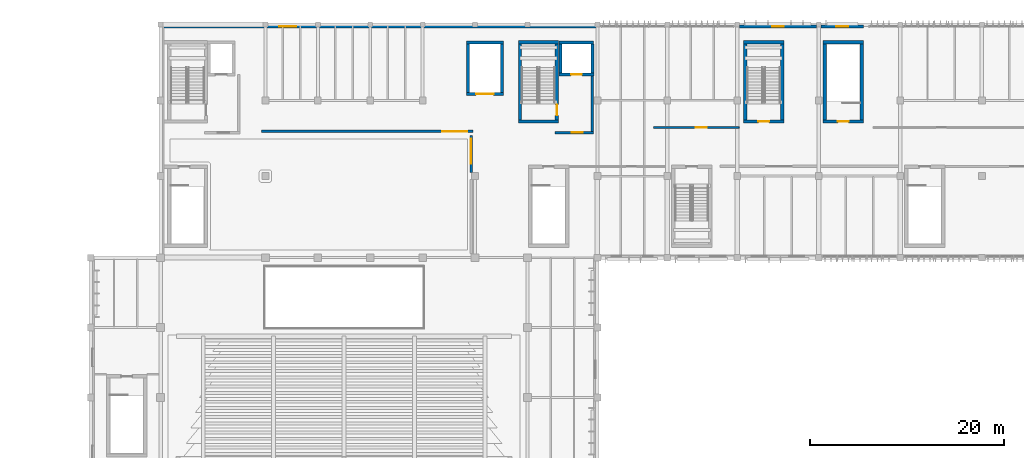
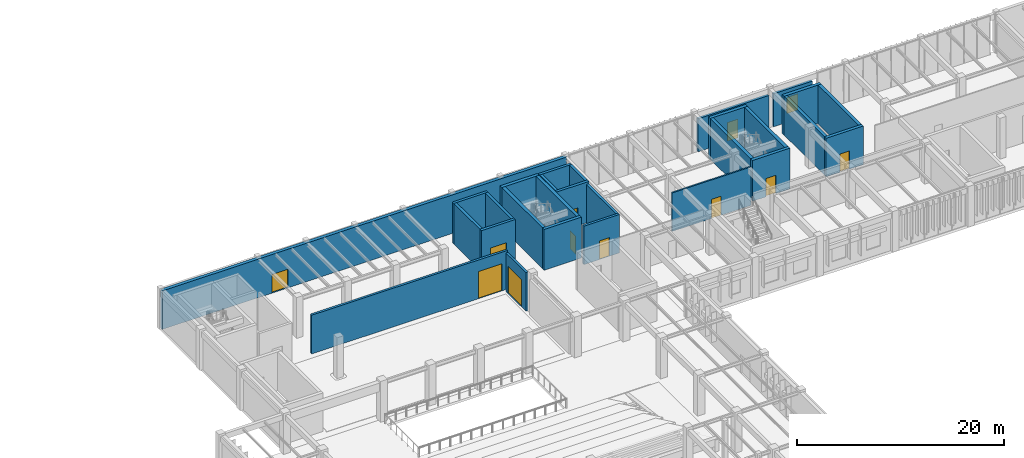
# One storey, part 39 of 122: 28 walls, 11 doors, 1 window, 12 openings.
"""IFC4 building model written with IfcOpenShell, lengths in metres."""

from ifc_helpers import new_model, si_unit, direction, frame, frame_2d, origin, place, context, subcontext, project, spatial, rectangle, extrude, material, layer, layer_set, type_object, element, fill, save


model = new_model("IFC4")

# Units and contexts
model_context = context("Model", 3, precision=1e-05, world=origin(), true_north=direction((0.0, 1.0)))
body_context = subcontext(model_context, "Body", "Model", "MODEL_VIEW")
ifc_project = project(units=[si_unit("LENGTHUNIT", "METRE"), si_unit("AREAUNIT", "SQUARE_METRE"), si_unit("VOLUMEUNIT", "CUBIC_METRE"), si_unit("PLANEANGLEUNIT", "RADIAN"), si_unit("MASSUNIT", "GRAM", prefix="KILO")], contexts=[model_context])

# Site, building, storey
site_placement = place(None, origin())
site = spatial("IfcSite", under=ifc_project, at=site_placement, CompositionType="ELEMENT")
building_placement = place(site_placement, origin())
building = spatial("IfcBuilding", under=site, at=building_placement, Name="Tazoul Stagehouse", CompositionType="ELEMENT")
storey_placement = place(building_placement, origin())
storey = spatial("IfcBuildingStorey", under=building, at=storey_placement, Name="L00", CompositionType="ELEMENT", Elevation=0.0)

# Wall, opening, door
ifc_material_1 = material(Name="Gypsum Acoustic Partition", Category="gypsum")
ifc_layer_1 = layer(ifc_material_1, 0.25, Name="Gypsum Acoustic Partition")
ifc_layer_set_1 = layer_set([ifc_layer_1], Name="Gypsum Acoustic Partition")
wall_type_1 = type_object("IfcWallType", Name="Acoustic Hall Double-Stud Partition 250", PredefinedType="PARTITIONING", material=ifc_layer_set_1)
wall_1_placement = place(storey_placement, frame((89.60009765625, 100.39990234375, 0.0), z_axis=(0.0, 0.0, 1.0), x_axis=(0.0, -1.0, 0.0)))
wall_1 = element("IfcWall", 1, at=wall_1_placement, inside=storey, type_object=wall_type_1, Name="L00 Partition PW-250 (PW-RM-L00-020-E-S1)", PredefinedType="PARTITIONING", context=body_context, shape_type="SweptSolid", body=[
    extrude(rectangle(XDim=3.829833984375, YDim=0.25, at=frame_2d((1.9150390625, 0.0))), origin(), (0.0, 0.0, 1.0), 4.5400390625),
])
opening_1_placement = place(wall_1_placement, frame((0.35009765625, 0.0, 0.0)))
opening_1 = element("IfcOpeningElement", 2, at=opening_1_placement, cuts=wall_1, Name="Opening ID-22", PredefinedType="OPENING", context=body_context, shape_type="SweptSolid", body=[
    extrude(rectangle(XDim=2.60009765625, YDim=3.199951171875, at=frame_2d((1.300048828125, 1.60009765625))), frame((0.0, 0.14501953125, 0.0), z_axis=(0.0, -1.0, 0.0), x_axis=(1.0, 0.0, 0.0)), (0.0, 0.0, 1.0), 0.2900390625),
])
ifc_material_2 = material(Name="Acoustic Cedar Timber", Category="wood")
door_type_1 = type_object("IfcDoorType", Name="Scenery Stage Acoustic Elephant Door 2600x3200", OperationType="DOUBLE_DOOR_SINGLE_SWING", PredefinedType="DOOR", material=ifc_material_2)
door_1_placement = place(opening_1_placement, origin())
door_1 = element("IfcDoor", 3, at=door_1_placement, inside=storey, type_object=door_type_1, Name="L00 Main Proscenium Stage and Wings Door", OperationType="DOUBLE_DOOR_SINGLE_SWING", OverallHeight=3.199951171875, OverallWidth=2.60009765625, PredefinedType="DOOR", context=body_context, shape_type="SweptSolid", body=[
    extrude(rectangle(XDim=2.60009765625, YDim=3.199951171875, at=frame_2d((1.300048828125, 1.60009765625))), frame((0.0, 0.02490234375, 0.0), z_axis=(0.0, -1.0, 0.0), x_axis=(1.0, 0.0, 0.0)), (0.0, 0.0, 1.0), 0.050048828125),
])
fill(opening_1, door_1)

wall_2_placement = place(storey_placement, frame((89.800048828125, 100.800048828125, 0.0), z_axis=(0.0, 0.0, 1.0), x_axis=(-1.0, 0.0, 0.0)))
wall_2 = element("IfcWall", 4, at=wall_2_placement, inside=storey, type_object=wall_type_1, Name="L00 Partition PW-250 (PW-RM-L00-105-S)", PredefinedType="PARTITIONING", context=body_context, shape_type="SweptSolid", body=[
    extrude(rectangle(XDim=21.800048828125, YDim=0.25, at=frame_2d((10.89990234375, 0.0))), origin(), (0.0, 0.0, 1.0), 4.56005859375),
])
opening_2_placement = place(wall_2_placement, frame((0.60009765625, 0.0, 0.0)))
opening_2 = element("IfcOpeningElement", 5, at=opening_2_placement, cuts=wall_2, Name="Opening ID-22", PredefinedType="OPENING", context=body_context, shape_type="SweptSolid", body=[
    extrude(rectangle(XDim=2.60009765625, YDim=3.199951171875, at=frame_2d((1.300048828125, 1.60009765625))), frame((0.0, 0.14501953125, 0.0), z_axis=(0.0, -1.0, 0.0), x_axis=(1.0, 0.0, 0.0)), (0.0, 0.0, 1.0), 0.2900390625),
])
door_2_placement = place(opening_2_placement, origin())
door_2 = element("IfcDoor", 6, at=door_2_placement, inside=storey, type_object=door_type_1, Name="L00 Rear Stage Wagon Assembly Hall Door", OperationType="DOUBLE_DOOR_SINGLE_SWING", OverallHeight=3.199951171875, OverallWidth=2.60009765625, PredefinedType="DOOR", context=body_context, shape_type="SweptSolid", body=[
    extrude(rectangle(XDim=2.60009765625, YDim=3.199951171875, at=frame_2d((1.300048828125, 1.60009765625))), frame((0.0, 0.02490234375, 0.0), z_axis=(0.0, -1.0, 0.0), x_axis=(1.0, 0.0, 0.0)), (0.0, 0.0, 1.0), 0.050048828125),
])
fill(opening_2, door_2)

ifc_material_3 = material(Name="Ochre Fired Clay Facing Brick Masonry", Category="masonry")
ifc_layer_2 = layer(ifc_material_3, 0.360107421875, Name="Ochre Fired Clay Facing Brick Masonry")
ifc_layer_set_2 = layer_set([ifc_layer_2], Name="Ochre Fired Clay Facing Brick Masonry")
wall_type_2 = type_object("IfcWallType", Name="Acoustic Stagehouse Masonry-Concrete Cavity Wall 360", PredefinedType="SOLIDWALL", material=ifc_layer_set_2)
wall_3_placement = place(storey_placement, frame((57.60009765625, 111.6201171875, 0.0), z_axis=(0.0, 0.0, 1.0), x_axis=(1.0, 0.0, 0.0)))
wall_3 = element("IfcWall", 7, at=wall_3_placement, inside=storey, type_object=wall_type_2, Name="L00 Wall EW-360 (WALL-V2-N-L00-S1)", PredefinedType="SOLIDWALL", context=body_context, shape_type="SweptSolid", body=[
    extrude(rectangle(XDim=45.0, YDim=0.360107421875, at=frame_2d((22.5, 0.0))), origin(), (0.0, 0.0, 1.0), 4.5400390625),
])
opening_3_placement = place(wall_3_placement, frame((12.199951171875, 0.0, 0.0)))
opening_3 = element("IfcOpeningElement", 8, at=opening_3_placement, cuts=wall_3, Name="Opening ED-03", PredefinedType="OPENING", context=body_context, shape_type="SweptSolid", body=[
    extrude(rectangle(XDim=1.800048828125, YDim=2.199951171875, at=frame_2d((0.89990234375, 1.10009765625))), frame((0.0, 0.199951171875, 0.0), z_axis=(0.0, -1.0, 0.0), x_axis=(1.0, 0.0, 0.0)), (0.0, 0.0, 1.0), 0.400146484375),
])
ifc_material_4 = material(Name="Powder-Coated Galvanised Steel Leaf", Category="steel")
door_type_2 = type_object("IfcDoorType", Name="Perimeter Emergency Exit Double Door 1800x2200", OperationType="DOUBLE_DOOR_SINGLE_SWING", PredefinedType="DOOR", material=ifc_material_4)
door_3_placement = place(opening_3_placement, origin())
door_3 = element("IfcDoor", 9, at=door_3_placement, inside=storey, type_object=door_type_2, Name="L00 Door ED-03 (DR-V2-N-EXIT)", OperationType="SINGLE_SWING_LEFT", OverallHeight=2.199951171875, OverallWidth=1.800048828125, PredefinedType="DOOR", context=body_context, shape_type="SweptSolid", body=[
    extrude(rectangle(XDim=1.800048828125, YDim=2.199951171875, at=frame_2d((0.89990234375, 1.10009765625))), frame((0.0, 0.02490234375, 0.0), z_axis=(0.0, -1.0, 0.0), x_axis=(1.0, 0.0, 0.0)), (0.0, 0.0, 1.0), 0.050048828125),
])
fill(opening_3, door_3)

# Walls
ifc_material_5 = material(Name="Concrete C40/50", Category="concrete")
ifc_layer_3 = layer(ifc_material_5, 0.35009765625, Name="Concrete C40/50")
ifc_layer_set_3 = layer_set([ifc_layer_3], Name="Concrete C40/50")
wall_type_3 = type_object("IfcWallType", Name="Core Shear Wall 350", PredefinedType="SOLIDWALL", material=ifc_layer_set_3)
wall_4_placement = place(storey_placement, frame((98.60009765625, 101.824951171875, 0.0), z_axis=(0.0, 0.0, 1.0), x_axis=(-1.0, 0.0, 0.0)))
element("IfcWall", 10, at=wall_4_placement, inside=storey, type_object=wall_type_3, Name="L00 Core Wall CW-350 (SHF-ST-01-south)", PredefinedType="SOLIDWALL", context=body_context, shape_type="SweptSolid", body=[
    extrude(rectangle(XDim=4.150146484375, YDim=0.35009765625, at=frame_2d((2.0751953125, 0.0))), origin(), (0.0, 0.0, 1.0), 4.800048828125),
])
wall_5_placement = place(storey_placement, frame((94.625, 102.0, 0.0), z_axis=(0.0, 0.0, 1.0), x_axis=(0.0, 1.0, 0.0)))
element("IfcWall", 11, at=wall_5_placement, inside=storey, type_object=wall_type_3, Name="L00 Core Wall CW-350 (SHF-ST-01-west)", PredefinedType="SOLIDWALL", context=body_context, shape_type="SweptSolid", body=[
    extrude(rectangle(XDim=7.800048828125, YDim=0.35009765625, at=frame_2d((3.89990234375, 0.0))), origin(), (0.0, 0.0, 1.0), 4.800048828125),
])
wall_6_placement = place(storey_placement, frame((94.449951171875, 109.97509765625, 0.0), z_axis=(0.0, 0.0, 1.0), x_axis=(1.0, 0.0, 0.0)))
element("IfcWall", 12, at=wall_6_placement, inside=storey, type_object=wall_type_3, Name="L00 Core Wall CW-350 (SHF-ST-01-north)", PredefinedType="SOLIDWALL", context=body_context, shape_type="SweptSolid", body=[
    extrude(rectangle(XDim=4.150146484375, YDim=0.35009765625, at=frame_2d((2.0751953125, 0.0))), origin(), (0.0, 0.0, 1.0), 4.800048828125),
])

# Wall, opening, door
wall_7_placement = place(storey_placement, frame((98.425048828125, 109.800048828125, 0.0), z_axis=(0.0, 0.0, 1.0), x_axis=(0.0, -1.0, 0.0)))
wall_7 = element("IfcWall", 13, at=wall_7_placement, inside=storey, type_object=wall_type_3, Name="L00 Core Wall CW-350 (SHF-ST-01-east)", PredefinedType="SOLIDWALL", context=body_context, shape_type="SweptSolid", body=[
    extrude(rectangle(XDim=7.800048828125, YDim=0.35009765625, at=frame_2d((3.89990234375, 0.0))), origin(), (0.0, 0.0, 1.0), 4.800048828125),
])
opening_4_placement = place(wall_7_placement, frame((6.25, 0.0, 0.0)))
opening_4 = element("IfcOpeningElement", 14, at=opening_4_placement, cuts=wall_7, Name="Opening FD-01", PredefinedType="OPENING", context=body_context, shape_type="SweptSolid", body=[
    extrude(rectangle(XDim=1.10009765625, YDim=2.14990234375, at=frame_2d((0.550048828125, 1.074951171875))), frame((0.0, 0.195068359375, 0.0), z_axis=(0.0, -1.0, 0.0), x_axis=(1.0, 0.0, 0.0)), (0.0, 0.0, 1.0), 0.39013671875),
])
ifc_material_6 = material(Name="Powder-Coated Galvanised Acoustic Steel", Category="steel")
door_type_3 = type_object("IfcDoorType", Name="Core Escape Stair Fire Door 1100x2150", OperationType="NOTDEFINED", PredefinedType="DOOR", material=ifc_material_6)
door_4_placement = place(opening_4_placement, origin())
door_4 = element("IfcDoor", 15, at=door_4_placement, inside=storey, type_object=door_type_3, Name="L00 Escape Stair Fire Door FD-01 (ST-01)", OperationType="SINGLE_SWING_RIGHT", OverallHeight=2.14990234375, OverallWidth=1.10009765625, PredefinedType="DOOR", context=body_context, shape_type="SweptSolid", body=[
    extrude(rectangle(XDim=1.10009765625, YDim=2.14990234375, at=frame_2d((0.550048828125, 1.074951171875))), frame((0.0, 0.02490234375, 0.0), z_axis=(0.0, -1.0, 0.0), x_axis=(1.0, 0.0, 0.0)), (0.0, 0.0, 1.0), 0.050048828125),
])
fill(opening_4, door_4)

wall_8_placement = place(storey_placement, frame((121.800048828125, 101.824951171875, 0.0), z_axis=(0.0, 0.0, 1.0), x_axis=(-1.0, 0.0, 0.0)))
wall_8 = element("IfcWall", 16, at=wall_8_placement, inside=storey, type_object=wall_type_3, Name="L00 Core Wall CW-350 (SHF-ST-02-south)", PredefinedType="SOLIDWALL", context=body_context, shape_type="SweptSolid", body=[
    extrude(rectangle(XDim=4.150146484375, YDim=0.35009765625, at=frame_2d((2.0751953125, 0.0))), origin(), (0.0, 0.0, 1.0), 4.800048828125),
])
opening_5_placement = place(wall_8_placement, frame((1.52490234375, 0.0, 0.0)))
opening_5 = element("IfcOpeningElement", 17, at=opening_5_placement, cuts=wall_8, Name="Opening FD-01", PredefinedType="OPENING", context=body_context, shape_type="SweptSolid", body=[
    extrude(rectangle(XDim=1.10009765625, YDim=2.14990234375, at=frame_2d((0.550048828125, 1.074951171875))), frame((0.0, 0.195068359375, 0.0), z_axis=(0.0, -1.0, 0.0), x_axis=(1.0, 0.0, 0.0)), (0.0, 0.0, 1.0), 0.39013671875),
])
door_5_placement = place(opening_5_placement, origin())
door_5 = element("IfcDoor", 18, at=door_5_placement, inside=storey, type_object=door_type_3, Name="L00 Escape Stair Fire Door FD-01 (ST-02)", OperationType="SINGLE_SWING_LEFT", OverallHeight=2.14990234375, OverallWidth=1.10009765625, PredefinedType="DOOR", context=body_context, shape_type="SweptSolid", body=[
    extrude(rectangle(XDim=1.10009765625, YDim=2.14990234375, at=frame_2d((0.550048828125, 1.074951171875))), frame((0.0, 0.02490234375, 0.0), z_axis=(0.0, -1.0, 0.0), x_axis=(1.0, 0.0, 0.0)), (0.0, 0.0, 1.0), 0.050048828125),
])
fill(opening_5, door_5)

# Walls
wall_9_placement = place(storey_placement, frame((117.824951171875, 102.0, 0.0), z_axis=(0.0, 0.0, 1.0), x_axis=(0.0, 1.0, 0.0)))
element("IfcWall", 19, at=wall_9_placement, inside=storey, type_object=wall_type_3, Name="L00 Core Wall CW-350 (SHF-ST-02-west)", PredefinedType="SOLIDWALL", context=body_context, shape_type="SweptSolid", body=[
    extrude(rectangle(XDim=7.800048828125, YDim=0.35009765625, at=frame_2d((3.89990234375, 0.0))), origin(), (0.0, 0.0, 1.0), 4.800048828125),
])
wall_10_placement = place(storey_placement, frame((117.64990234375, 109.97509765625, 0.0), z_axis=(0.0, 0.0, 1.0), x_axis=(1.0, 0.0, 0.0)))
element("IfcWall", 20, at=wall_10_placement, inside=storey, type_object=wall_type_3, Name="L00 Core Wall CW-350 (SHF-ST-02-north)", PredefinedType="SOLIDWALL", context=body_context, shape_type="SweptSolid", body=[
    extrude(rectangle(XDim=4.150146484375, YDim=0.35009765625, at=frame_2d((2.0751953125, 0.0))), origin(), (0.0, 0.0, 1.0), 4.800048828125),
])
wall_11_placement = place(storey_placement, frame((121.625, 109.800048828125, 0.0), z_axis=(0.0, 0.0, 1.0), x_axis=(0.0, -1.0, 0.0)))
element("IfcWall", 21, at=wall_11_placement, inside=storey, type_object=wall_type_3, Name="L00 Core Wall CW-350 (SHF-ST-02-east)", PredefinedType="SOLIDWALL", context=body_context, shape_type="SweptSolid", body=[
    extrude(rectangle(XDim=7.800048828125, YDim=0.35009765625, at=frame_2d((3.89990234375, 0.0))), origin(), (0.0, 0.0, 1.0), 4.800048828125),
])

# Wall, opening, door
wall_12_placement = place(storey_placement, frame((130.0, 101.824951171875, 0.0), z_axis=(0.0, 0.0, 1.0), x_axis=(-1.0, 0.0, 0.0)))
wall_12 = element("IfcWall", 22, at=wall_12_placement, inside=storey, type_object=wall_type_3, Name="L00 Core Wall CW-350 (SHF-ST-B2-south)", PredefinedType="SOLIDWALL", context=body_context, shape_type="SweptSolid", body=[
    extrude(rectangle(XDim=4.14990234375, YDim=0.35009765625, at=frame_2d((2.074951171875, 0.0))), origin(), (0.0, 0.0, 1.0), 4.5400390625),
])
opening_6_placement = place(wall_12_placement, frame((1.52490234375, 0.0, 0.0)))
opening_6 = element("IfcOpeningElement", 23, at=opening_6_placement, cuts=wall_12, Name="Opening FD-01", PredefinedType="OPENING", context=body_context, shape_type="SweptSolid", body=[
    extrude(rectangle(XDim=1.10009765625, YDim=2.14990234375, at=frame_2d((0.550048828125, 1.074951171875))), frame((0.0, 0.195068359375, 0.0), z_axis=(0.0, -1.0, 0.0), x_axis=(1.0, 0.0, 0.0)), (0.0, 0.0, 1.0), 0.39013671875),
])
door_6_placement = place(opening_6_placement, origin())
door_6 = element("IfcDoor", 24, at=door_6_placement, inside=storey, type_object=door_type_3, Name="L00 Basement Stair Fire Door FD-01 (ST-B2)", OperationType="SINGLE_SWING_RIGHT", OverallHeight=2.14990234375, OverallWidth=1.10009765625, PredefinedType="DOOR", context=body_context, shape_type="SweptSolid", body=[
    extrude(rectangle(XDim=1.10009765625, YDim=2.14990234375, at=frame_2d((0.550048828125, 1.074951171875))), frame((0.0, 0.02490234375, 0.0), z_axis=(0.0, -1.0, 0.0), x_axis=(1.0, 0.0, 0.0)), (0.0, 0.0, 1.0), 0.050048828125),
])
fill(opening_6, door_6)

# Walls
wall_13_placement = place(storey_placement, frame((126.02490234375, 102.0, 0.0), z_axis=(0.0, 0.0, 1.0), x_axis=(0.0, 1.0, 0.0)))
element("IfcWall", 25, at=wall_13_placement, inside=storey, type_object=wall_type_3, Name="L00 Core Wall CW-350 (SHF-ST-B2-west)", PredefinedType="SOLIDWALL", context=body_context, shape_type="SweptSolid", body=[
    extrude(rectangle(XDim=7.800048828125, YDim=0.35009765625, at=frame_2d((3.89990234375, 0.0))), origin(), (0.0, 0.0, 1.0), 4.5400390625),
])
wall_14_placement = place(storey_placement, frame((125.85009765625, 109.97509765625, 0.0), z_axis=(0.0, 0.0, 1.0), x_axis=(1.0, 0.0, 0.0)))
element("IfcWall", 26, at=wall_14_placement, inside=storey, type_object=wall_type_3, Name="L00 Core Wall CW-350 (SHF-ST-B2-north)", PredefinedType="SOLIDWALL", context=body_context, shape_type="SweptSolid", body=[
    extrude(rectangle(XDim=4.14990234375, YDim=0.35009765625, at=frame_2d((2.074951171875, 0.0))), origin(), (0.0, 0.0, 1.0), 4.5400390625),
])
wall_15_placement = place(storey_placement, frame((129.824951171875, 109.800048828125, 0.0), z_axis=(0.0, 0.0, 1.0), x_axis=(0.0, -1.0, 0.0)))
element("IfcWall", 27, at=wall_15_placement, inside=storey, type_object=wall_type_3, Name="L00 Core Wall CW-350 (SHF-ST-B2-east)", PredefinedType="SOLIDWALL", context=body_context, shape_type="SweptSolid", body=[
    extrude(rectangle(XDim=7.800048828125, YDim=0.35009765625, at=frame_2d((3.89990234375, 0.0))), origin(), (0.0, 0.0, 1.0), 4.5400390625),
])

# Wall, opening, door
ifc_layer_4 = layer(ifc_material_1, 0.169921875, Name="Gypsum Acoustic Partition")
ifc_layer_set_4 = layer_set([ifc_layer_4], Name="Gypsum Acoustic Partition")
wall_type_4 = type_object("IfcWallType", Name="Corridor Fire-Rated Partition 170", PredefinedType="PARTITIONING", material=ifc_layer_set_4)
wall_16_placement = place(storey_placement, frame((117.199951171875, 101.199951171875, 0.0), z_axis=(0.0, 0.0, 1.0), x_axis=(-1.0, 0.0, 0.0)))
wall_16 = element("IfcWall", 28, at=wall_16_placement, inside=storey, type_object=wall_type_4, Name="L00 Partition PW-170 (PW-RM-L00-023-S)", PredefinedType="PARTITIONING", context=body_context, shape_type="SweptSolid", body=[
    extrude(rectangle(XDim=8.800048828125, YDim=0.169921875, at=frame_2d((4.39990234375, 0.0))), origin(), (0.0, 0.0, 1.0), 4.5400390625),
])
opening_7_placement = place(wall_16_placement, frame((3.35009765625, 0.0, 0.0)))
opening_7 = element("IfcOpeningElement", 29, at=opening_7_placement, cuts=wall_16, Name="Opening ID-11", PredefinedType="OPENING", context=body_context, shape_type="SweptSolid", body=[
    extrude(rectangle(XDim=1.10009765625, YDim=2.25, at=frame_2d((0.550048828125, 1.125))), frame((0.0, 0.10498046875, 0.0), z_axis=(0.0, -1.0, 0.0), x_axis=(1.0, 0.0, 0.0)), (0.0, 0.0, 1.0), 0.2099609375),
])
door_type_4 = type_object("IfcDoorType", Name="Fire Command Room Rated Door 1100x2250", OperationType="NOTDEFINED", PredefinedType="DOOR", material=ifc_material_2)
door_7_placement = place(opening_7_placement, origin())
door_7 = element("IfcDoor", 30, at=door_7_placement, inside=storey, type_object=door_type_4, Name="L00 Fire Command and Security Control Room Door", OperationType="SINGLE_SWING_LEFT", OverallHeight=2.25, OverallWidth=1.10009765625, PredefinedType="DOOR", context=body_context, shape_type="SweptSolid", body=[
    extrude(rectangle(XDim=1.10009765625, YDim=2.25, at=frame_2d((0.550048828125, 1.125))), frame((0.0, 0.02490234375, 0.0), z_axis=(0.0, -1.0, 0.0), x_axis=(1.0, 0.0, 0.0)), (0.0, 0.0, 1.0), 0.050048828125),
])
fill(opening_7, door_7)

ifc_layer_5 = layer(ifc_material_5, 0.260009765625, Name="Concrete C40/50")
ifc_layer_set_5 = layer_set([ifc_layer_5], Name="Concrete C40/50")
wall_type_5 = type_object("IfcWallType", Name="Firefighting Lobby Wall 260", PredefinedType="SOLIDWALL", material=ifc_layer_set_5)
wall_17_placement = place(storey_placement, frame((102.2099609375, 100.669921875, 0.0), z_axis=(0.0, 0.0, 1.0), x_axis=(-1.0, 0.0, 0.0)))
wall_17 = element("IfcWall", 31, at=wall_17_placement, inside=storey, type_object=wall_type_5, Name="L00 Firefighting Lobby Wall CW-260 (C1-S)", PredefinedType="SOLIDWALL", context=body_context, shape_type="SweptSolid", body=[
    extrude(rectangle(XDim=3.9599609375, YDim=0.260009765625, at=frame_2d((1.97998046875, 0.0))), origin(), (0.0, 0.0, 1.0), 4.5400390625),
])
opening_8_placement = place(wall_17_placement, frame((1.10009765625, 0.0, 0.0)))
opening_8 = element("IfcOpeningElement", 32, at=opening_8_placement, cuts=wall_17, Name="Opening FD-02", PredefinedType="OPENING", context=body_context, shape_type="SweptSolid", body=[
    extrude(rectangle(XDim=1.14990234375, YDim=2.199951171875, at=frame_2d((0.574951171875, 1.10009765625))), frame((0.0, 0.14990234375, 0.0), z_axis=(0.0, -1.0, 0.0), x_axis=(1.0, 0.0, 0.0)), (0.0, 0.0, 1.0), 0.300048828125),
])
door_type_5 = type_object("IfcDoorType", Name="Firefighting Lobby Fire Door 1150x2200", OperationType="NOTDEFINED", PredefinedType="DOOR", material=ifc_material_6)
door_8_placement = place(opening_8_placement, origin())
door_8 = element("IfcDoor", 33, at=door_8_placement, inside=storey, type_object=door_type_5, Name="L00 Firefighting Lobby Door FD-02 (C1)", OperationType="SINGLE_SWING_LEFT", OverallHeight=2.199951171875, OverallWidth=1.14990234375, PredefinedType="DOOR", context=body_context, shape_type="SweptSolid", body=[
    extrude(rectangle(XDim=1.14990234375, YDim=2.199951171875, at=frame_2d((0.574951171875, 1.10009765625))), frame((0.0, 0.02490234375, 0.0), z_axis=(0.0, -1.0, 0.0), x_axis=(1.0, 0.0, 0.0)), (0.0, 0.0, 1.0), 0.050048828125),
])
fill(opening_8, door_8)

# Wall
wall_18_placement = place(storey_placement, frame((102.080078125, 106.64990234375, 0.0), z_axis=(0.0, 0.0, 1.0), x_axis=(0.0, -1.0, 0.0)))
element("IfcWall", 34, at=wall_18_placement, inside=storey, type_object=wall_type_5, Name="L00 Firefighting Lobby Wall CW-260 (C1-E)", PredefinedType="SOLIDWALL", context=body_context, shape_type="SweptSolid", body=[
    extrude(rectangle(XDim=5.849853515625, YDim=0.260009765625, at=frame_2d((2.9248046875, 0.0))), origin(), (0.0, 0.0, 1.0), 4.5400390625),
])

# Wall, opening, door
ifc_material_7 = material(Name="Precast concrete C40/50", Category="concrete")
ifc_layer_6 = layer(ifc_material_7, 0.280029296875, Name="Precast concrete C40/50")
ifc_layer_set_6 = layer_set([ifc_layer_6], Name="Precast concrete C40/50")
wall_type_6 = type_object("IfcWallType", Name="Insulated Precast Acoustic Cladding Wall 280", PredefinedType="SOLIDWALL", material=ifc_layer_set_6)
wall_19_placement = place(storey_placement, frame((117.2548828125, 111.6201171875, 0.0), z_axis=(0.0, 0.0, 1.0), x_axis=(1.0, 0.0, 0.0)))
wall_19 = element("IfcWall", 35, at=wall_19_placement, inside=storey, type_object=wall_type_6, Name="L00 Wall EW-280 (WALL-V3-N2-L00-S1)", PredefinedType="SOLIDWALL", context=body_context, shape_type="SweptSolid", body=[
    extrude(rectangle(XDim=7.89013671875, YDim=0.280029296875, at=frame_2d((3.945068359375, 0.0))), origin(), (0.0, 0.0, 1.0), 3.873046875),
])
opening_9_placement = place(wall_19_placement, frame((3.344970703125, 0.0, 0.0)))
opening_9 = element("IfcOpeningElement", 36, at=opening_9_placement, cuts=wall_19, Name="Opening ED-04", PredefinedType="OPENING", context=body_context, shape_type="SweptSolid", body=[
    extrude(rectangle(XDim=1.199951171875, YDim=2.199951171875, at=frame_2d((0.60009765625, 1.10009765625))), frame((0.0, 0.159912109375, 0.0), z_axis=(0.0, -1.0, 0.0), x_axis=(1.0, 0.0, 0.0)), (0.0, 0.0, 1.0), 0.320068359375),
])
door_type_6 = type_object("IfcDoorType", Name="Stage Door Staff Entrance 1200x2200", OperationType="SINGLE_SWING_RIGHT", PredefinedType="DOOR", material=ifc_material_4)
door_9_placement = place(opening_9_placement, origin())
door_9 = element("IfcDoor", 37, at=door_9_placement, inside=storey, type_object=door_type_6, Name="L00 Door ED-04 (DR-V3-STAGE-DOOR)", OperationType="SINGLE_SWING_LEFT", OverallHeight=2.199951171875, OverallWidth=1.199951171875, PredefinedType="DOOR", context=body_context, shape_type="SweptSolid", body=[
    extrude(rectangle(XDim=1.199951171875, YDim=2.199951171875, at=frame_2d((0.60009765625, 1.10009765625))), frame((0.0, 0.02490234375, 0.0), z_axis=(0.0, -1.0, 0.0), x_axis=(1.0, 0.0, 0.0)), (0.0, 0.0, 1.0), 0.050048828125),
])
fill(opening_9, door_9)

# Wall, opening, window
wall_20_placement = place(storey_placement, frame((125.655029296875, 111.6201171875, 0.0), z_axis=(0.0, 0.0, 1.0), x_axis=(1.0, 0.0, 0.0)))
wall_20 = element("IfcWall", 38, at=wall_20_placement, inside=storey, type_object=wall_type_6, Name="L00 Wall EW-280 (WALL-V3-N2-L00-S2)", PredefinedType="SOLIDWALL", context=body_context, shape_type="SweptSolid", body=[
    extrude(rectangle(XDim=4.344970703125, YDim=0.280029296875, at=frame_2d((2.17236328125, 0.0))), origin(), (0.0, 0.0, 1.0), 3.873046875),
])
opening_10_placement = place(wall_20_placement, frame((1.5576171875, 0.0, 0.949951171875)))
opening_10 = element("IfcOpeningElement", 39, at=opening_10_placement, cuts=wall_20, Name="Opening WN-69", PredefinedType="OPENING", context=body_context, shape_type="SweptSolid", body=[
    extrude(rectangle(XDim=1.22998046875, YDim=1.89990234375, at=frame_2d((0.614990234375, 0.949951171875))), frame((0.0, 0.159912109375, 0.0), z_axis=(0.0, -1.0, 0.0), x_axis=(1.0, 0.0, 0.0)), (0.0, 0.0, 1.0), 0.320068359375),
])
ifc_material_8 = material(Name="Double Low-E Acoustic Laminated Glass", Category="glass")
window_type = type_object("IfcWindowType", Name="Architectural Acoustic Facade Window 1230x1900", PartitioningType="SINGLE_PANEL", PredefinedType="WINDOW", material=ifc_material_8)
window_placement = place(opening_10_placement, origin())
window = element("IfcWindow", 40, at=window_placement, inside=storey, type_object=window_type, Name="L00 Window WN-69 (WALL-V3-N2-L00-S2-W1)", OverallHeight=1.89990234375, OverallWidth=1.22998046875, PartitioningType="SINGLE_PANEL", PredefinedType="WINDOW", context=body_context, shape_type="SweptSolid", body=[
    extrude(rectangle(XDim=1.22998046875, YDim=1.89990234375, at=frame_2d((0.614990234375, 0.949951171875))), frame((0.0, 0.030029296875, 0.0), z_axis=(0.0, -1.0, 0.0), x_axis=(1.0, 0.0, 0.0)), (0.0, 0.0, 1.0), 0.06005859375),
])
fill(opening_10, window)

# Wall, opening, door
ifc_layer_7 = layer(ifc_material_5, 0.300048828125, Name="Concrete C40/50")
ifc_layer_set_7 = layer_set([ifc_layer_7], Name="Concrete C40/50")
wall_type_7 = type_object("IfcWallType", Name="Lift Shaft Wall 300", PredefinedType="SOLIDWALL", material=ifc_layer_set_7)
wall_21_placement = place(storey_placement, frame((102.25, 106.64990234375, 0.0), z_axis=(0.0, 0.0, 1.0), x_axis=(-1.0, 0.0, 0.0)))
wall_21 = element("IfcWall", 41, at=wall_21_placement, inside=storey, type_object=wall_type_7, Name="L00 Core Wall CW-300 (LSHF-FFL-01-south)", PredefinedType="SOLIDWALL", context=body_context, shape_type="SweptSolid", body=[
    extrude(rectangle(XDim=3.60009765625, YDim=0.300048828125, at=frame_2d((1.800048828125, 0.0))), origin(), (0.0, 0.0, 1.0), 4.800048828125),
])
opening_11_placement = place(wall_21_placement, frame((1.25, 0.0, 0.0)))
opening_11 = element("IfcOpeningElement", 42, at=opening_11_placement, cuts=wall_21, Name="Opening LD-01", PredefinedType="OPENING", context=body_context, shape_type="SweptSolid", body=[
    extrude(rectangle(XDim=1.10009765625, YDim=2.10009765625, at=frame_2d((0.550048828125, 1.050048828125))), frame((0.0, 0.169921875, 0.0), z_axis=(0.0, -1.0, 0.0), x_axis=(1.0, 0.0, 0.0)), (0.0, 0.0, 1.0), 0.340087890625),
])
door_type_7 = type_object("IfcDoorType", Name="Firefighter Lift Sliding Landing Door 1100x2100", OperationType="DOUBLE_DOOR_SLIDING", PredefinedType="DOOR", material=ifc_material_6)
door_10_placement = place(opening_11_placement, origin())
door_10 = element("IfcDoor", 43, at=door_10_placement, inside=storey, type_object=door_type_7, Name="L00 Lift Landing Sliding Door LD-01 (FFL-01)", OperationType="DOUBLE_DOOR_SLIDING", OverallHeight=2.10009765625, OverallWidth=1.10009765625, PredefinedType="DOOR", context=body_context, shape_type="SweptSolid", body=[
    extrude(rectangle(XDim=1.10009765625, YDim=2.10009765625, at=frame_2d((0.550048828125, 1.050048828125))), frame((0.0, 0.02490234375, 0.0), z_axis=(0.0, -1.0, 0.0), x_axis=(1.0, 0.0, 0.0)), (0.0, 0.0, 1.0), 0.050048828125),
])
fill(opening_11, door_10)

# Walls
wall_22_placement = place(storey_placement, frame((98.800048828125, 106.800048828125, 0.0), z_axis=(0.0, 0.0, 1.0), x_axis=(0.0, 1.0, 0.0)))
element("IfcWall", 44, at=wall_22_placement, inside=storey, type_object=wall_type_7, Name="L00 Core Wall CW-300 (LSHF-FFL-01-west)", PredefinedType="SOLIDWALL", context=body_context, shape_type="SweptSolid", body=[
    extrude(rectangle(XDim=3.0, YDim=0.300048828125, at=frame_2d((1.5, 0.0))), origin(), (0.0, 0.0, 1.0), 4.800048828125),
])
wall_23_placement = place(storey_placement, frame((98.64990234375, 109.949951171875, 0.0), z_axis=(0.0, 0.0, 1.0), x_axis=(1.0, 0.0, 0.0)))
element("IfcWall", 45, at=wall_23_placement, inside=storey, type_object=wall_type_7, Name="L00 Core Wall CW-300 (LSHF-FFL-01-north)", PredefinedType="SOLIDWALL", context=body_context, shape_type="SweptSolid", body=[
    extrude(rectangle(XDim=3.570068359375, YDim=0.300048828125, at=frame_2d((1.78515625, 0.0))), origin(), (0.0, 0.0, 1.0), 4.800048828125),
])
wall_24_placement = place(storey_placement, frame((102.10009765625, 109.800048828125, 0.0), z_axis=(0.0, 0.0, 1.0), x_axis=(0.0, -1.0, 0.0)))
element("IfcWall", 46, at=wall_24_placement, inside=storey, type_object=wall_type_7, Name="L00 Core Wall CW-300 (LSHF-FFL-01-east)", PredefinedType="SOLIDWALL", context=body_context, shape_type="SweptSolid", body=[
    extrude(rectangle(XDim=3.0, YDim=0.300048828125, at=frame_2d((1.5, 0.0))), origin(), (0.0, 0.0, 1.0), 4.800048828125),
])

# Wall, opening, door
wall_25_placement = place(storey_placement, frame((92.89990234375, 104.64990234375, 0.0), z_axis=(0.0, 0.0, 1.0), x_axis=(-1.0, 0.0, 0.0)))
wall_25 = element("IfcWall", 47, at=wall_25_placement, inside=storey, type_object=wall_type_7, Name="L00 Core Wall CW-300 (LSHF-GL-01-south)", PredefinedType="SOLIDWALL", context=body_context, shape_type="SweptSolid", body=[
    extrude(rectangle(XDim=3.7998046875, YDim=0.300048828125, at=frame_2d((1.89990234375, 0.0))), origin(), (0.0, 0.0, 1.0), 4.800048828125),
])
opening_12_placement = place(wall_25_placement, frame((1.0, 0.0, 0.0)))
opening_12 = element("IfcOpeningElement", 48, at=opening_12_placement, cuts=wall_25, Name="Opening LD-07", PredefinedType="OPENING", context=body_context, shape_type="SweptSolid", body=[
    extrude(rectangle(XDim=1.800048828125, YDim=2.39990234375, at=frame_2d((0.89990234375, 1.199951171875))), frame((0.0, 0.169921875, 0.0), z_axis=(0.0, -1.0, 0.0), x_axis=(1.0, 0.0, 0.0)), (0.0, 0.0, 1.0), 0.340087890625),
])
door_type_8 = type_object("IfcDoorType", Name="Scenery Goods Lift Sliding Door 1800x2400", OperationType="DOUBLE_DOOR_SLIDING", PredefinedType="DOOR", material=ifc_material_6)
door_11_placement = place(opening_12_placement, origin())
door_11 = element("IfcDoor", 49, at=door_11_placement, inside=storey, type_object=door_type_8, Name="L00 Lift Landing Sliding Door LD-07 (GL-01)", OperationType="DOUBLE_DOOR_SLIDING", OverallHeight=2.39990234375, OverallWidth=1.800048828125, PredefinedType="DOOR", context=body_context, shape_type="SweptSolid", body=[
    extrude(rectangle(XDim=1.800048828125, YDim=2.39990234375, at=frame_2d((0.89990234375, 1.199951171875))), frame((0.0, 0.02490234375, 0.0), z_axis=(0.0, -1.0, 0.0), x_axis=(1.0, 0.0, 0.0)), (0.0, 0.0, 1.0), 0.050048828125),
])
fill(opening_12, door_11)

# Walls
wall_26_placement = place(storey_placement, frame((89.25, 104.800048828125, 0.0), z_axis=(0.0, 0.0, 1.0), x_axis=(0.0, 1.0, 0.0)))
element("IfcWall", 50, at=wall_26_placement, inside=storey, type_object=wall_type_7, Name="L00 Core Wall CW-300 (LSHF-GL-01-west)", PredefinedType="SOLIDWALL", context=body_context, shape_type="SweptSolid", body=[
    extrude(rectangle(XDim=5.0, YDim=0.300048828125, at=frame_2d((2.5, 0.0))), origin(), (0.0, 0.0, 1.0), 4.800048828125),
])
wall_27_placement = place(storey_placement, frame((89.10009765625, 109.949951171875, 0.0), z_axis=(0.0, 0.0, 1.0), x_axis=(1.0, 0.0, 0.0)))
element("IfcWall", 51, at=wall_27_placement, inside=storey, type_object=wall_type_7, Name="L00 Core Wall CW-300 (LSHF-GL-01-north)", PredefinedType="SOLIDWALL", context=body_context, shape_type="SweptSolid", body=[
    extrude(rectangle(XDim=3.7998046875, YDim=0.300048828125, at=frame_2d((1.89990234375, 0.0))), origin(), (0.0, 0.0, 1.0), 4.800048828125),
])
wall_28_placement = place(storey_placement, frame((92.75, 109.800048828125, 0.0), z_axis=(0.0, 0.0, 1.0), x_axis=(0.0, -1.0, 0.0)))
element("IfcWall", 52, at=wall_28_placement, inside=storey, type_object=wall_type_7, Name="L00 Core Wall CW-300 (LSHF-GL-01-east)", PredefinedType="SOLIDWALL", context=body_context, shape_type="SweptSolid", body=[
    extrude(rectangle(XDim=5.0, YDim=0.300048828125, at=frame_2d((2.5, 0.0))), origin(), (0.0, 0.0, 1.0), 4.800048828125),
])

save(model, "model.ifc")
